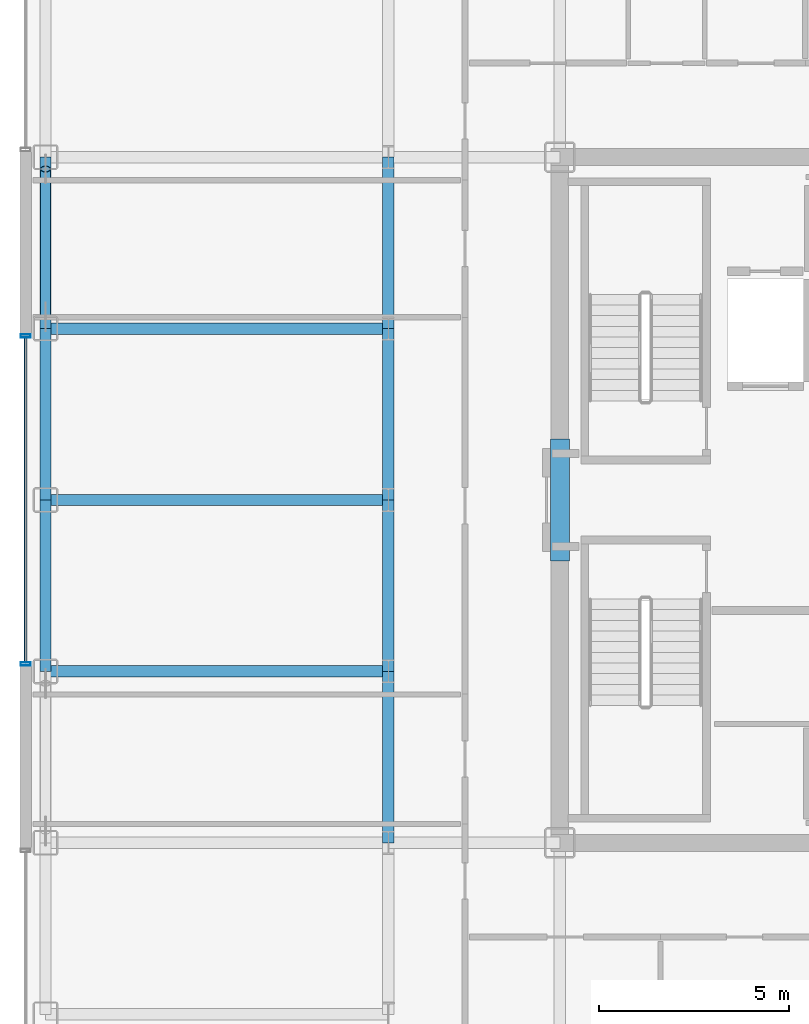
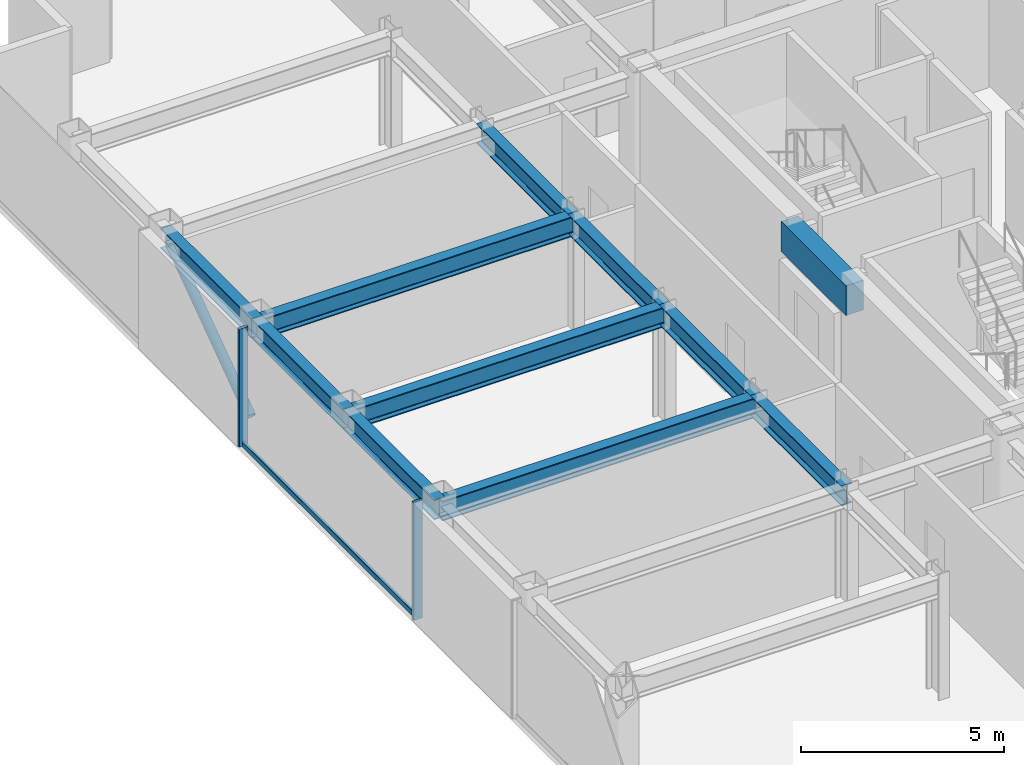
# One storey, part 4 of 16: 11 beams, 4 members, 1 element without a shape of its own.
"""IFC4 building model written with IfcOpenShell, lengths in metres."""

from ifc_helpers import new_model, si_unit, direction, frame, origin, origin_2d, place, context, subcontext, project, spatial, rectangle, hollow_rectangle, hollow_circle, i_section, extrude, source, transform, mapped, material, layer, layer_set, material_profile, profile_set, type_object, element, aggregate, save


model = new_model("IFC4")

# Units and contexts
model_context = context("Model", 3, precision=1e-05, world=origin(), true_north=direction((0.0, 1.0)))
body_context = subcontext(model_context, "Body", "Model", "MODEL_VIEW")
ifc_project = project(units=[si_unit("LENGTHUNIT", "METRE"), si_unit("AREAUNIT", "SQUARE_METRE"), si_unit("VOLUMEUNIT", "CUBIC_METRE"), si_unit("PLANEANGLEUNIT", "RADIAN"), si_unit("MASSUNIT", "GRAM", prefix="KILO")], contexts=[model_context])

# Site, building, storey
site_placement = place(None, origin())
site = spatial("IfcSite", under=ifc_project, at=site_placement, CompositionType="ELEMENT")
building_placement = place(site_placement, origin())
building = spatial("IfcBuilding", under=site, at=building_placement, Name="Nefas-Gora Pilgrimage Tower", CompositionType="ELEMENT")
storey_placement = place(building_placement, frame((0.0, 0.0, 276.0)))
storey = spatial("IfcBuildingStorey", under=building, at=storey_placement, Name="L69", CompositionType="ELEMENT", Elevation=276.0)

# Beams
ifc_material_1 = material(Name="Concrete C50/60", Category="concrete")
ifc_material_profile_1 = material_profile(ifc_material_1, rectangle(XDim=0.5, YDim=0.89990234375, at=origin_2d()), Name="RC 500x900")
ifc_profile_set_1 = profile_set([ifc_material_profile_1], Name="Concrete C50/60")
beam_type_1 = type_object("IfcBeamType", Name="BM-LIN-RC900", PredefinedType="LINTEL", material=ifc_profile_set_1)
shared_shape_1 = source(origin(), body_context, "Body", "SweptSolid", [
    extrude(rectangle(XDim=0.5, YDim=0.89990234375, at=origin_2d()), origin(), (0.0, 0.0, 1.0), 3.2001953125),
])
beam_placement = place(storey_placement, frame((-11.25, -1.60009765625, 3.10009765625), z_axis=(0.0, 1.0, 0.0), x_axis=(-1.0, 0.0, 0.0)))
element("IfcBeam", 1, at=beam_placement, inside=storey, type_object=beam_type_1, Name="L69 Core Coupling Lintel Beam W", PredefinedType="LINTEL", context=body_context, shape_type="MappedRepresentation", body=[
    mapped(shared_shape_1, transform((0.0, 0.0, 0.0), x_axis=(1.0, 0.0, 0.0), y_axis=(0.0, 1.0, 0.0), z_axis=(0.0, 0.0, 1.0), scale=1.0)),
])
ifc_material_2 = material(Name="Steel S355", Category="steel")
ifc_material_profile_2 = material_profile(ifc_material_2, i_section(OverallWidth=0.300048828125, OverallDepth=0.60009765625, WebThickness=0.015380859375, FlangeThickness=0.030029296875, FilletRadius=0.027099609375, at=origin_2d()), Name="HEB 600")
ifc_profile_set_2 = profile_set([ifc_material_profile_2], Name="Steel S355")
beam_type_2 = type_object("IfcBeamType", Name="BM-SPN-HEB450", PredefinedType="SPANDREL", material=ifc_profile_set_2)
shared_shape_2 = source(origin(), body_context, "Body", "SweptSolid", [
    extrude(i_section(OverallWidth=0.300048828125, OverallDepth=0.60009765625, WebThickness=0.015380859375, FlangeThickness=0.030029296875, FilletRadius=0.027099609375, at=origin_2d()), origin(), (0.0, 0.0, 1.0), 4.5),
])
for number, where, z_axis, x_axis, name in (
    (2, (-24.75, -4.5, 3.25), (0.0, 1.0, 0.0), (-1.0, 0.0, 0.0), "L69 SP-03 beam"),
    (3, (-24.75, 0.0, 3.25), (0.0, 1.0, 0.0), (-1.0, 0.0, 0.0), "L69 SP-03 beam"),
    (4, (-24.75, 4.5, 3.25), (0.0, 1.0, 0.0), (-1.0, 0.0, 0.0), "L69 SP-03 beam"),
):
    element("IfcBeam", number, at=place(storey_placement, frame(where, z_axis=z_axis, x_axis=x_axis)), inside=storey, type_object=beam_type_2, Name=name, PredefinedType="SPANDREL", context=body_context, shape_type="MappedRepresentation", body=[
        mapped(shared_shape_2, transform((0.0, 0.0, 0.0), x_axis=(1.0, 0.0, 0.0), y_axis=(0.0, 1.0, 0.0), z_axis=(0.0, 0.0, 1.0), scale=1.0)),
    ])
ifc_material_profile_3 = material_profile(ifc_material_2, i_section(OverallWidth=0.300048828125, OverallDepth=0.60009765625, WebThickness=0.015380859375, FlangeThickness=0.030029296875, FilletRadius=0.027099609375, at=origin_2d()), Name="HEB 600")
ifc_profile_set_3 = profile_set([ifc_material_profile_3], Name="Steel S355")
beam_type_3 = type_object("IfcBeamType", Name="BM-GIR-HEB600", PredefinedType="BEAM", material=ifc_profile_set_3)
shared_shape_3 = source(origin(), body_context, "Body", "SweptSolid", [
    extrude(i_section(OverallWidth=0.300048828125, OverallDepth=0.60009765625, WebThickness=0.015380859375, FlangeThickness=0.030029296875, FilletRadius=0.027099609375, at=origin_2d()), origin(), (0.0, 0.0, 1.0), 9.0),
])
for number, where, z_axis, x_axis, name in (
    (5, (-24.75, -4.5, 3.25), (1.0, 0.0, 0.0), (0.0, 1.0, 0.0), "L69 G-04 beam"),
    (6, (-24.75, 0.0, 3.25), (1.0, 0.0, 0.0), (0.0, 1.0, 0.0), "L69 G-04 beam"),
    (7, (-24.75, 4.5, 3.25), (1.0, 0.0, 0.0), (0.0, 1.0, 0.0), "L69 G-04 beam"),
):
    element("IfcBeam", number, at=place(storey_placement, frame(where, z_axis=z_axis, x_axis=x_axis)), inside=storey, type_object=beam_type_3, Name=name, PredefinedType="BEAM", context=body_context, shape_type="MappedRepresentation", body=[
        mapped(shared_shape_3, transform((0.0, 0.0, 0.0), x_axis=(1.0, 0.0, 0.0), y_axis=(0.0, 1.0, 0.0), z_axis=(0.0, 0.0, 1.0), scale=1.0)),
    ])
shared_shape_4 = source(origin(), body_context, "Body", "SweptSolid", [
    extrude(i_section(OverallWidth=0.300048828125, OverallDepth=0.60009765625, WebThickness=0.015380859375, FlangeThickness=0.030029296875, FilletRadius=0.027099609375, at=origin_2d()), origin(), (0.0, 0.0, 1.0), 4.5),
])
for number, where, z_axis, x_axis, name in (
    (8, (-15.75, -9.0, 3.25), (0.0, 1.0, 0.0), (-1.0, 0.0, 0.0), "L69 G-04 beam"),
    (9, (-15.75, -4.5, 3.25), (0.0, 1.0, 0.0), (-1.0, 0.0, 0.0), "L69 G-04 beam"),
    (10, (-15.75, 0.0, 3.25), (0.0, 1.0, 0.0), (-1.0, 0.0, 0.0), "L69 G-04 beam"),
    (11, (-15.75, 4.5, 3.25), (0.0, 1.0, 0.0), (-1.0, 0.0, 0.0), "L69 G-04 beam"),
):
    element("IfcBeam", number, at=place(storey_placement, frame(where, z_axis=z_axis, x_axis=x_axis)), inside=storey, type_object=beam_type_3, Name=name, PredefinedType="BEAM", context=body_context, shape_type="MappedRepresentation", body=[
        mapped(shared_shape_4, transform((0.0, 0.0, 0.0), x_axis=(1.0, 0.0, 0.0), y_axis=(0.0, 1.0, 0.0), z_axis=(0.0, 0.0, 1.0), scale=1.0)),
    ])

# Member
ifc_material_profile_4 = material_profile(ifc_material_2, hollow_circle(Radius=0.136474609375, WallThickness=0.01611328125, at=origin_2d()), Name="CHS 273x16")
ifc_profile_set_4 = profile_set([ifc_material_profile_4], Name="Steel S355")
member_type_1 = type_object("IfcMemberType", Name="MEM-TUBE-273", PredefinedType="BRACE", material=ifc_profile_set_4)
shared_shape_5 = source(origin(), body_context, "Body", "SweptSolid", [
    extrude(hollow_circle(Radius=0.136474609375, WallThickness=0.01611328125, at=origin_2d()), origin(), (0.0, 0.0, 1.0), 4.763671875),
])
member_1_placement = place(storey_placement, frame((-24.75, 4.81298828125, 0.3740234375), z_axis=(0.0, 0.813255312614, 0.581907034246), x_axis=(-1.0, 0.0, 0.0)))
element("IfcMember", 12, at=member_1_placement, inside=storey, type_object=member_type_1, Name="L69 Perimeter Tube Diagonal Brace W2", PredefinedType="BRACE", context=body_context, shape_type="MappedRepresentation", body=[
    mapped(shared_shape_5, transform((0.0, 0.0, 0.0), x_axis=(1.0, 0.0, 0.0), y_axis=(0.0, 1.0, 0.0), z_axis=(0.0, 0.0, 1.0), scale=1.0)),
])

# Curtain wall, members
ifc_material_3 = material(Name="Dark ceramic-fritted solar-control aluminium-glass curtain wall", Category="aluminium")
ifc_layer = layer(ifc_material_3, 0.219970703125)
ifc_layer_set = layer_set([ifc_layer], Name="Dark ceramic-fritted solar-control aluminium-glass curtain wall")
curtain_wall_type = type_object("IfcCurtainWallType", Name="CW-SYS-4", PredefinedType="NOTDEFINED", material=ifc_layer_set)
curtain_wall_placement = place(storey_placement, origin())
curtain_wall = element("IfcCurtainWall", 13, at=curtain_wall_placement, inside=storey, type_object=curtain_wall_type, Name="L69 Unitised Curtain Wall CW4", PredefinedType="NOTDEFINED")
ifc_material_4 = material(Name="Anodised architectural aluminium", Category="aluminium")
ifc_material_profile_5 = material_profile(ifc_material_4, hollow_rectangle(XDim=0.080078125, YDim=0.159912109375, WallThickness=0.00439453125, InnerFilletRadius=0.00439453125, OuterFilletRadius=0.009033203125, at=origin_2d()), Name="ALU TRANSOM 80x160")
ifc_profile_set_5 = profile_set([ifc_material_profile_5], Name="Anodised architectural aluminium")
member_type_2 = type_object("IfcMemberType", Name="CWM-TRN-4", PredefinedType="USERDEFINED", material=ifc_profile_set_5)
shared_shape_6 = source(origin(), body_context, "Body", "SweptSolid", [
    extrude(hollow_rectangle(XDim=0.080078125, YDim=0.159912109375, WallThickness=0.00439453125, InnerFilletRadius=0.00439453125, OuterFilletRadius=0.009033203125, at=origin_2d()), origin(), (0.0, 0.0, 1.0), 8.52001953125),
])
member_2_placement = place(storey_placement, frame((-25.27001953125, 4.260009765625, 0.050048828125), z_axis=(0.0, -1.0, 0.0), x_axis=(1.0, 0.0, 0.0)))
member_2 = element("IfcMember", 14, at=member_2_placement, type_object=member_type_2, Name="CW4 Spandrel Transom", ObjectType="TRANSOM", PredefinedType="USERDEFINED", context=body_context, shape_type="MappedRepresentation", body=[
    mapped(shared_shape_6, transform((0.0, 0.0, 0.0), x_axis=(1.0, 0.0, 0.0), y_axis=(0.0, 1.0, 0.0), z_axis=(0.0, 0.0, 1.0), scale=1.0)),
])
ifc_material_profile_6 = material_profile(ifc_material_4, hollow_rectangle(XDim=0.090087890625, YDim=0.260009765625, WallThickness=0.006103515625, InnerFilletRadius=0.006103515625, OuterFilletRadius=0.011962890625, at=origin_2d()), Name="ALU MULLION 90x260")
ifc_profile_set_6 = profile_set([ifc_material_profile_6], Name="Anodised architectural aluminium")
member_type_3 = type_object("IfcMemberType", Name="CWM-MUL-4", PredefinedType="MULLION", material=ifc_profile_set_6)
shared_shape_7 = source(origin(), body_context, "Body", "SweptSolid", [
    extrude(hollow_rectangle(XDim=0.090087890625, YDim=0.260009765625, WallThickness=0.006103515625, InnerFilletRadius=0.006103515625, OuterFilletRadius=0.011962890625, at=origin_2d()), origin(), (0.0, 0.0, 1.0), 3.550048828125),
])
member_3_placement = place(storey_placement, frame((-25.27001953125, 4.304931640625, 0.0), z_axis=(0.0, 0.0, 1.0), x_axis=(0.0, -1.0, 0.0)))
member_3 = element("IfcMember", 15, at=member_3_placement, type_object=member_type_3, Name="CW4 Mullion 1", PredefinedType="MULLION", context=body_context, shape_type="MappedRepresentation", body=[
    mapped(shared_shape_7, transform((0.0, 0.0, 0.0), x_axis=(1.0, 0.0, 0.0), y_axis=(0.0, 1.0, 0.0), z_axis=(0.0, 0.0, 1.0), scale=1.0)),
])
member_4_placement = place(storey_placement, frame((-25.27001953125, -4.304931640625, 0.0), z_axis=(0.0, 0.0, 1.0), x_axis=(0.0, -1.0, 0.0)))
member_4 = element("IfcMember", 16, at=member_4_placement, type_object=member_type_3, Name="CW4 Mullion 2", PredefinedType="MULLION", context=body_context, shape_type="MappedRepresentation", body=[
    mapped(shared_shape_7, transform((0.0, 0.0, 0.0), x_axis=(1.0, 0.0, 0.0), y_axis=(0.0, 1.0, 0.0), z_axis=(0.0, 0.0, 1.0), scale=1.0)),
])
aggregate(curtain_wall, [member_3, member_4, member_2])

save(model, "model.ifc")
